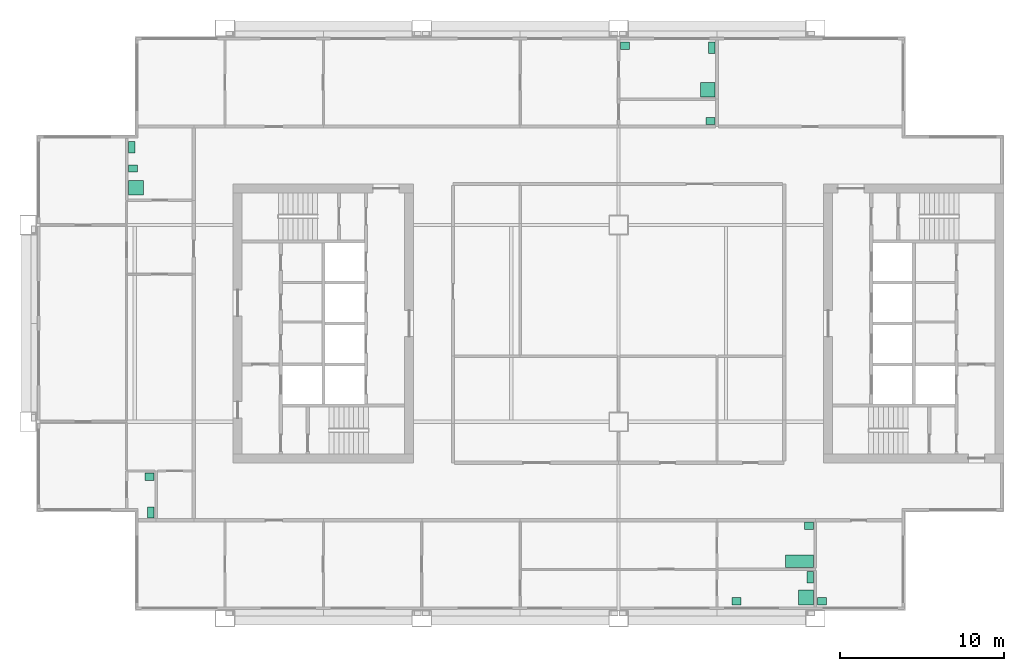
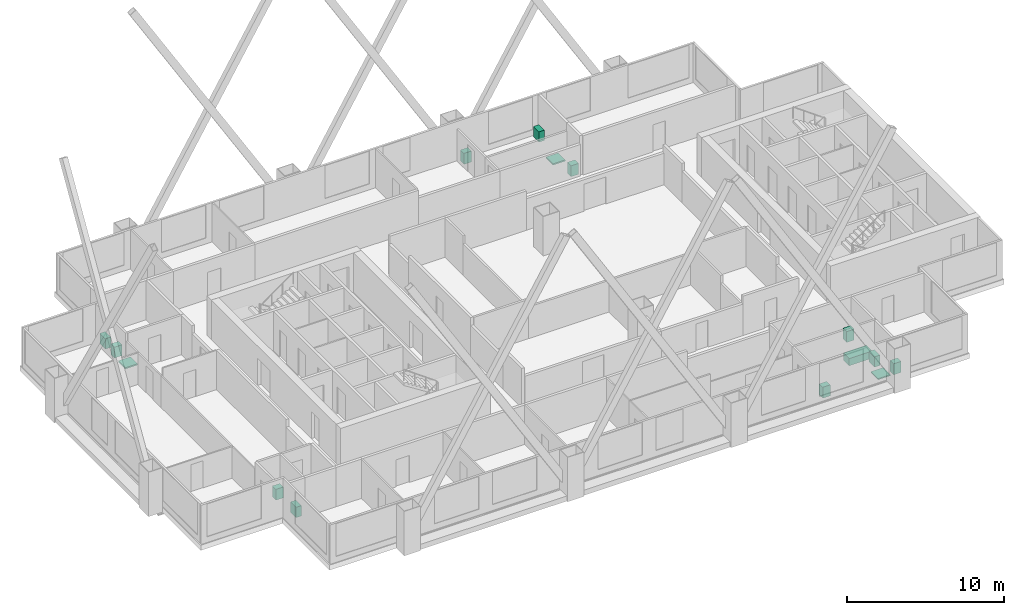
# One storey, part 9 of 9: 15 sanitary terminals.
"""IFC4 building model written with IfcOpenShell, lengths in metres."""

from ifc_helpers import new_model, si_unit, direction, frame, origin, origin_2d, place, context, subcontext, project, spatial, rectangle, extrude, material, type_object, element, save


model = new_model("IFC4")

# Units and contexts
model_context = context("Model", 3, precision=1e-05, world=origin(), true_north=direction((0.0, 1.0)))
body_context = subcontext(model_context, "Body", "Model", "MODEL_VIEW")
ifc_project = project(units=[si_unit("LENGTHUNIT", "METRE"), si_unit("AREAUNIT", "SQUARE_METRE"), si_unit("VOLUMEUNIT", "CUBIC_METRE"), si_unit("PLANEANGLEUNIT", "RADIAN"), si_unit("MASSUNIT", "GRAM", prefix="KILO")], contexts=[model_context])

# Site, building, storey
site_placement = place(None, origin())
site = spatial("IfcSite", under=ifc_project, at=site_placement, CompositionType="ELEMENT")
building_placement = place(site_placement, origin())
building = spatial("IfcBuilding", under=site, at=building_placement, Name="Kitamizu Gate Tower and Museum", CompositionType="ELEMENT")
storey_placement = place(building_placement, frame((0.0, 0.0, 192.75)))
storey = spatial("IfcBuildingStorey", under=building, at=storey_placement, Name="L51", CompositionType="ELEMENT", Elevation=192.75)

# Sanitary terminals
ifc_material_1 = material(Name="Acrylic")
sanitary_terminal_type_1 = type_object("IfcSanitaryTerminalType", Name="Bath", PredefinedType="BATH", material=ifc_material_1)
sanitary_terminal_placement = place(storey_placement, frame((47.030029296875, 15.4951171875, 0.0009765625), z_axis=(0.0, 0.0, 1.0), x_axis=(1.0, 0.0, 0.0)))
element("IfcSanitaryTerminal", 1, at=sanitary_terminal_placement, inside=storey, type_object=sanitary_terminal_type_1, Name="Bath Bathroom 51A", PredefinedType="BATH", context=body_context, shape_type="SweptSolid", body=[
    extrude(rectangle(XDim=1.699951171875, YDim=0.75, at=origin_2d()), origin(), (0.0, 0.0, 1.0), 0.550048828125),
])
ifc_material_2 = material(Name="Acrylic")
sanitary_terminal_type_2 = type_object("IfcSanitaryTerminalType", Name="Shower tray", PredefinedType="SHOWER", material=ifc_material_2)
for number, where, z_axis, x_axis, name in (
    (2, (47.429931640625, 13.2900390625, 0.0009765625), (0.0, 0.0, 1.0), (1.0, 0.0, 0.0), "Shower tray En-suite bathroom and WC 51A"),
    (3, (41.429931640625, 44.25, 0.0009765625), (0.0, 0.0, 1.0), (1.0, 0.0, 0.0), "Shower tray En-suite bathroom and WC 51B"),
    (4, (6.570068359375, 38.27001953125, 0.0009765625), (0.0, 0.0, 1.0), (1.0, 0.0, 0.0), "Shower tray En-suite bathroom 51D"),
):
    element("IfcSanitaryTerminal", number, at=place(storey_placement, frame(where, z_axis=z_axis, x_axis=x_axis)), inside=storey, type_object=sanitary_terminal_type_2, Name=name, PredefinedType="SHOWER", context=body_context, shape_type="SweptSolid", body=[
        extrude(rectangle(XDim=0.89990234375, YDim=0.89990234375, at=origin_2d()), origin(), (0.0, 0.0, 1.0), 0.10009765625),
    ])
ifc_material_3 = material(Name="Vitreous china")
sanitary_terminal_type_3 = type_object("IfcSanitaryTerminalType", Name="Wash hand basin", PredefinedType="WASHHANDBASIN", material=ifc_material_3)
for number, where, z_axis, x_axis, name in (
    (5, (43.195068359375, 13.06494140625, 0.0009765625), (0.0, 0.0, 1.0), (1.0, 0.0, 0.0), "Wash hand basin En-suite bathroom and WC 51A"),
    (6, (47.60498046875, 17.655029296875, 0.0009765625), (0.0, 0.0, 1.0), (1.0, 0.0, 0.0), "Wash hand basin Bathroom 51A"),
    (7, (48.39501953125, 13.06494140625, 0.0009765625), (0.0, 0.0, 1.0), (1.0, 0.0, 0.0), "Wash hand basin Hobby room 51A"),
    (8, (36.39501953125, 46.93505859375, 0.0009765625), (0.0, 0.0, 1.0), (1.0, 0.0, 0.0), "Wash hand basin En-suite bathroom and WC 51B"),
    (9, (41.60498046875, 42.344970703125, 0.0009765625), (0.0, 0.0, 1.0), (1.0, 0.0, 0.0), "Wash hand basin Wash room 51B"),
    (10, (7.405029296875, 20.655029296875, 0.0009765625), (0.0, 0.0, 1.0), (1.0, 0.0, 0.0), "Wash hand basin WC 51D"),
    (11, (6.39501953125, 39.445068359375, 0.0009765625), (0.0, 0.0, 1.0), (1.0, 0.0, 0.0), "Wash hand basin En-suite bathroom 51D"),
):
    element("IfcSanitaryTerminal", number, at=place(storey_placement, frame(where, z_axis=z_axis, x_axis=x_axis)), inside=storey, type_object=sanitary_terminal_type_3, Name=name, PredefinedType="WASHHANDBASIN", context=body_context, shape_type="SweptSolid", body=[
        extrude(rectangle(XDim=0.550048828125, YDim=0.449951171875, at=origin_2d()), origin(), (0.0, 0.0, 1.0), 0.85009765625),
    ])
ifc_material_4 = material(Name="Vitreous china")
sanitary_terminal_type_4 = type_object("IfcSanitaryTerminalType", Name="Water closet", PredefinedType="TOILETPAN", material=ifc_material_4)
for number, where, z_axis, x_axis, name in (
    (12, (47.679931640625, 14.530029296875, 0.0009765625), (0.0, 0.0, 1.0), (1.0, 0.0, 0.0), "Water closet En-suite bathroom and WC 51A"),
    (13, (41.679931640625, 46.81005859375, 0.0009765625), (0.0, 0.0, 1.0), (1.0, 0.0, 0.0), "Water closet En-suite bathroom and WC 51B"),
    (14, (7.47998046875, 18.469970703125, 0.0009765625), (0.0, 0.0, 1.0), (1.0, 0.0, 0.0), "Water closet WC 51D"),
    (15, (6.320068359375, 40.72998046875, 0.0009765625), (0.0, 0.0, 1.0), (1.0, 0.0, 0.0), "Water closet En-suite bathroom 51D"),
):
    element("IfcSanitaryTerminal", number, at=place(storey_placement, frame(where, z_axis=z_axis, x_axis=x_axis)), inside=storey, type_object=sanitary_terminal_type_4, Name=name, PredefinedType="TOILETPAN", context=body_context, shape_type="SweptSolid", body=[
        extrude(rectangle(XDim=0.39990234375, YDim=0.699951171875, at=origin_2d()), origin(), (0.0, 0.0, 1.0), 0.800048828125),
    ])

save(model, "model.ifc")
